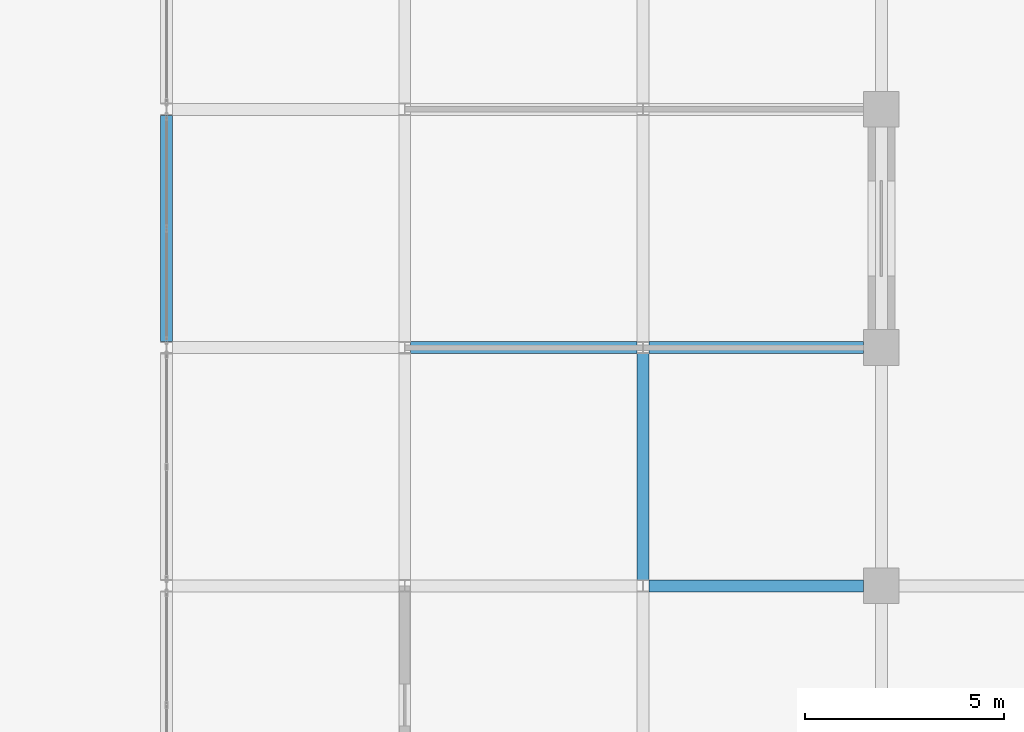
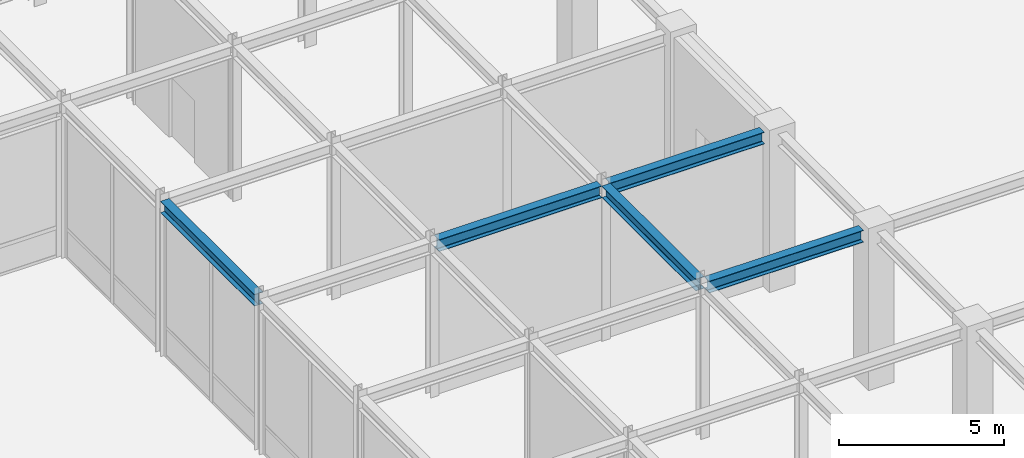
# One storey, part 51 of 108: 5 beams.
"""IFC4 building model written with IfcOpenShell, lengths in metres."""

from ifc_helpers import new_model, si_unit, direction, frame, origin, origin_2d, place, context, subcontext, project, spatial, i_section, extrude, material, material_profile, profile_set, type_object, element, save


model = new_model("IFC4")

# Units and contexts
model_context = context("Model", 3, precision=1e-05, world=origin(), true_north=direction((0.0, 1.0)))
body_context = subcontext(model_context, "Body", "Model", "MODEL_VIEW")
ifc_project = project(units=[si_unit("LENGTHUNIT", "METRE"), si_unit("AREAUNIT", "SQUARE_METRE"), si_unit("VOLUMEUNIT", "CUBIC_METRE"), si_unit("PLANEANGLEUNIT", "RADIAN"), si_unit("MASSUNIT", "GRAM", prefix="KILO")], contexts=[model_context])

# Site, building, storey
site_placement = place(None, origin())
site = spatial("IfcSite", under=ifc_project, at=site_placement, CompositionType="ELEMENT")
building_placement = place(site_placement, origin())
building = spatial("IfcBuilding", under=site, at=building_placement, Name="Zlatovratsky Civic Hall", CompositionType="ELEMENT")
storey_placement = place(building_placement, frame((0.0, 0.0, 6.0)))
storey = spatial("IfcBuildingStorey", under=building, at=storey_placement, Name="L02", CompositionType="ELEMENT", Elevation=6.0)

# Beams
ifc_material = material(Name="Steel S355", Category="steel")
ifc_material_profile = material_profile(ifc_material, i_section(OverallWidth=0.300048828125, OverallDepth=0.43994140625, WebThickness=0.010986328125, FlangeThickness=0.01806640625, FilletRadius=0.02197265625, at=origin_2d()), Name="45Sh1")
ifc_profile_set = profile_set([ifc_material_profile], Name="Steel S355")
beam_type = type_object("IfcBeamType", Name="Beam_TowerLow_45Sh1", PredefinedType="BEAM", material=ifc_profile_set)
beam_1_placement = place(storey_placement, frame((60.14990234375, 48.0, 5.5400390625), z_axis=(1.0, 0.0, 0.0), x_axis=(0.0, 1.0, 0.0)))
element("IfcBeam", 1, at=beam_1_placement, inside=storey, type_object=beam_type, Name="BM-1837", PredefinedType="BEAM", context=body_context, shape_type="SweptSolid", body=[
    extrude(i_section(OverallWidth=0.300048828125, OverallDepth=0.43994140625, WebThickness=0.010986328125, FlangeThickness=0.01806640625, FilletRadius=0.02197265625, at=origin_2d()), origin(), (0.0, 0.0, 1.0), 5.400146484375),
])
beam_2_placement = place(storey_placement, frame((54.14990234375, 54.0, 5.5400390625), z_axis=(1.0, 0.0, 0.0), x_axis=(0.0, 1.0, 0.0)))
element("IfcBeam", 2, at=beam_2_placement, inside=storey, type_object=beam_type, Name="BM-1852", PredefinedType="BEAM", context=body_context, shape_type="SweptSolid", body=[
    extrude(i_section(OverallWidth=0.300048828125, OverallDepth=0.43994140625, WebThickness=0.010986328125, FlangeThickness=0.01806640625, FilletRadius=0.02197265625, at=origin_2d()), origin(), (0.0, 0.0, 1.0), 5.7001953125),
])
beam_3_placement = place(storey_placement, frame((60.14990234375, 54.0, 5.5400390625), z_axis=(1.0, 0.0, 0.0), x_axis=(0.0, 1.0, 0.0)))
element("IfcBeam", 3, at=beam_3_placement, inside=storey, type_object=beam_type, Name="BM-1853", PredefinedType="BEAM", context=body_context, shape_type="SweptSolid", body=[
    extrude(i_section(OverallWidth=0.300048828125, OverallDepth=0.43994140625, WebThickness=0.010986328125, FlangeThickness=0.01806640625, FilletRadius=0.02197265625, at=origin_2d()), origin(), (0.0, 0.0, 1.0), 5.400146484375),
])
for number, where, z_axis, x_axis, name in (
    (4, (48.0, 54.14990234375, 5.5400390625), (0.0, 1.0, 0.0), (-1.0, 0.0, 0.0), "BM-2137"),
    (5, (60.0, 48.14990234375, 5.5400390625), (0.0, 1.0, 0.0), (-1.0, 0.0, 0.0), "BM-2169"),
):
    element("IfcBeam", number, at=place(storey_placement, frame(where, z_axis=z_axis, x_axis=x_axis)), inside=storey, type_object=beam_type, Name=name, PredefinedType="BEAM", context=body_context, shape_type="SweptSolid", body=[
        extrude(i_section(OverallWidth=0.300048828125, OverallDepth=0.43994140625, WebThickness=0.010986328125, FlangeThickness=0.01806640625, FilletRadius=0.02197265625, at=origin_2d()), origin(), (0.0, 0.0, 1.0), 5.7001953125),
    ])

save(model, "model.ifc")
